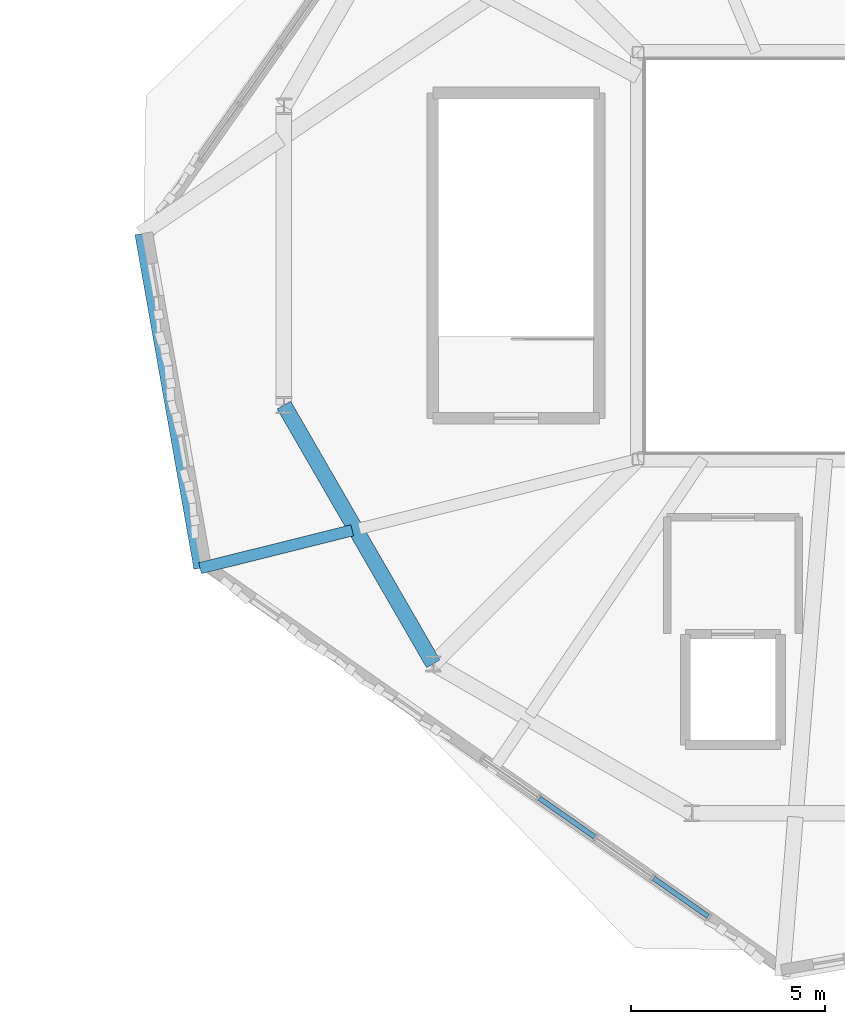
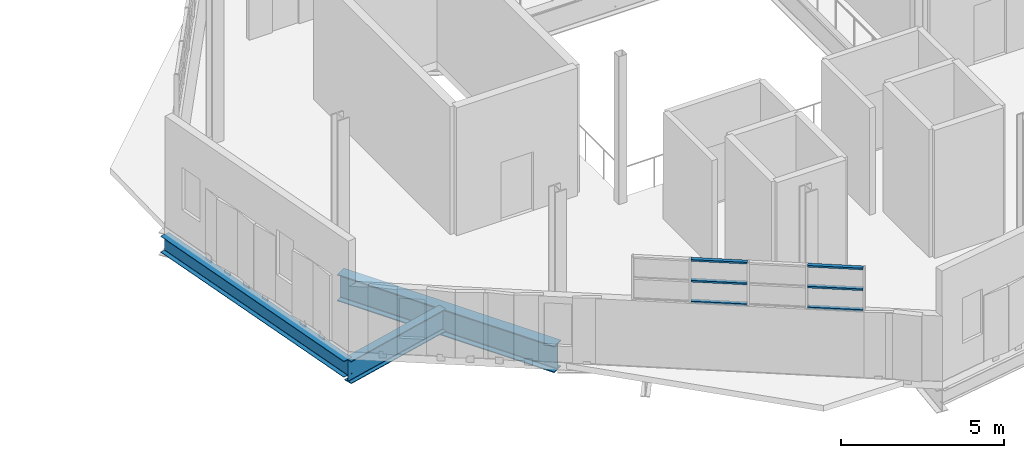
# One storey, part 4 of 36: 6 members, 3 beams, 1 element without a shape of its own.
"""IFC4 building model written with IfcOpenShell, lengths in metres."""

from ifc_helpers import new_model, si_unit, direction, frame, origin, origin_2d, place, context, subcontext, project, spatial, hollow_rectangle, i_section, extrude, material, layer, layer_set, material_profile, profile_set, type_object, element, aggregate, save


model = new_model("IFC4")

# Units and contexts
model_context = context("Model", 3, precision=1e-05, world=origin(), true_north=direction((0.0, 1.0)))
body_context = subcontext(model_context, "Body", "Model", "MODEL_VIEW")
ifc_project = project(units=[si_unit("LENGTHUNIT", "METRE"), si_unit("AREAUNIT", "SQUARE_METRE"), si_unit("VOLUMEUNIT", "CUBIC_METRE"), si_unit("PLANEANGLEUNIT", "RADIAN"), si_unit("MASSUNIT", "GRAM", prefix="KILO"), si_unit("THERMODYNAMICTEMPERATUREUNIT", "KELVIN"), si_unit("POWERUNIT", "WATT")], contexts=[model_context])

# Site, building, storey
site_placement = place(None, origin())
site = spatial("IfcSite", under=ifc_project, at=site_placement, CompositionType="ELEMENT")
building_placement = place(site_placement, origin())
building = spatial("IfcBuilding", under=site, at=building_placement, Name="Zelmaris Science Centre", CompositionType="ELEMENT")
storey_placement = place(building_placement, frame((0.0, 0.0, 25.199951171875)))
storey = spatial("IfcBuildingStorey", under=building, at=storey_placement, Name="L05", CompositionType="ELEMENT", Elevation=25.199951171875)

# Curtain wall, members
ifc_material_1 = material(Name="Anodised architectural aluminium 6063-T6", Category="aluminium")
ifc_layer = layer(ifc_material_1, 0.2099609375, Name="Anodised architectural aluminium 6063-T6")
ifc_layer_set = layer_set([ifc_layer], Name="Anodised architectural aluminium 6063-T6")
curtain_wall_type = type_object("IfcCurtainWallType", Name="Curtain Wall CW-03", PredefinedType="USERDEFINED", material=ifc_layer_set)
curtain_wall_placement = place(storey_placement, origin())
curtain_wall = element("IfcCurtainWall", 1, at=curtain_wall_placement, inside=storey, type_object=curtain_wall_type, Name="L05 Clerestory curtain wall 371", ObjectType="GLAZED CURTAIN WALL", PredefinedType="USERDEFINED")
ifc_material_profile_1 = material_profile(ifc_material_1, hollow_rectangle(XDim=0.06494140625, YDim=0.1298828125, WallThickness=0.00341796875, at=origin_2d()), Name="ALU-TRN-65X130")
ifc_profile_set_1 = profile_set([ifc_material_profile_1], Name="Anodised architectural aluminium 6063-T6")
member_type = type_object("IfcMemberType", Name="ALU-TRN-65X130", PredefinedType="USERDEFINED", material=ifc_profile_set_1)
member_1_placement = place(storey_placement, frame((77.553466796875, 18.947509765625, 2.448486328125), z_axis=(-0.819171710686, 0.5735483488, 0.0), x_axis=(0.0, 0.0, 1.0)))
member_1 = element("IfcMember", 2, at=member_1_placement, type_object=member_type, Name="CW-03 transom 1.1", ObjectType="TRANSOM", PredefinedType="USERDEFINED", context=body_context, shape_type="SweptSolid", body=[
    extrude(hollow_rectangle(XDim=0.06494140625, YDim=0.1298828125, WallThickness=0.00341796875, at=origin_2d()), origin(), (0.0, 0.0, 1.0), 1.714599609375),
])
member_2_placement = place(storey_placement, frame((77.553466796875, 18.947509765625, 3.22998046875), z_axis=(-0.819171710686, 0.5735483488, 0.0), x_axis=(0.0, 0.0, 1.0)))
member_2 = element("IfcMember", 3, at=member_2_placement, type_object=member_type, Name="CW-03 transom 1.2", ObjectType="TRANSOM", PredefinedType="USERDEFINED", context=body_context, shape_type="SweptSolid", body=[
    extrude(hollow_rectangle(XDim=0.06494140625, YDim=0.1298828125, WallThickness=0.00341796875, at=origin_2d()), origin(), (0.0, 0.0, 1.0), 1.714599609375),
])
member_3_placement = place(storey_placement, frame((77.553466796875, 18.947509765625, 4.011474609375), z_axis=(-0.819171710686, 0.5735483488, 0.0), x_axis=(0.0, 0.0, 1.0)))
member_3 = element("IfcMember", 4, at=member_3_placement, type_object=member_type, Name="CW-03 transom 1.3", ObjectType="TRANSOM", PredefinedType="USERDEFINED", context=body_context, shape_type="SweptSolid", body=[
    extrude(hollow_rectangle(XDim=0.06494140625, YDim=0.1298828125, WallThickness=0.00341796875, at=origin_2d()), origin(), (0.0, 0.0, 1.0), 1.714599609375),
])
member_4_placement = place(storey_placement, frame((74.6279296875, 20.99609375, 2.448486328125), z_axis=(-0.819185859287, 0.573528140499, 0.0), x_axis=(0.0, 0.0, 1.0)))
member_4 = element("IfcMember", 5, at=member_4_placement, type_object=member_type, Name="CW-03 transom 3.1", ObjectType="TRANSOM", PredefinedType="USERDEFINED", context=body_context, shape_type="SweptSolid", body=[
    extrude(hollow_rectangle(XDim=0.06494140625, YDim=0.1298828125, WallThickness=0.00341796875, at=origin_2d()), origin(), (0.0, 0.0, 1.0), 1.7431640625),
])
member_5_placement = place(storey_placement, frame((74.6279296875, 20.99609375, 3.22998046875), z_axis=(-0.819185859287, 0.573528140499, 0.0), x_axis=(0.0, 0.0, 1.0)))
member_5 = element("IfcMember", 6, at=member_5_placement, type_object=member_type, Name="CW-03 transom 3.2", ObjectType="TRANSOM", PredefinedType="USERDEFINED", context=body_context, shape_type="SweptSolid", body=[
    extrude(hollow_rectangle(XDim=0.06494140625, YDim=0.1298828125, WallThickness=0.00341796875, at=origin_2d()), origin(), (0.0, 0.0, 1.0), 1.7431640625),
])
member_6_placement = place(storey_placement, frame((74.6279296875, 20.99609375, 4.011474609375), z_axis=(-0.819185859287, 0.573528140499, 0.0), x_axis=(0.0, 0.0, 1.0)))
member_6 = element("IfcMember", 7, at=member_6_placement, type_object=member_type, Name="CW-03 transom 3.3", ObjectType="TRANSOM", PredefinedType="USERDEFINED", context=body_context, shape_type="SweptSolid", body=[
    extrude(hollow_rectangle(XDim=0.06494140625, YDim=0.1298828125, WallThickness=0.00341796875, at=origin_2d()), origin(), (0.0, 0.0, 1.0), 1.7431640625),
])
aggregate(curtain_wall, [member_1, member_2, member_3, member_4, member_5, member_6])

# Beams
ifc_material_2 = material(Name="Steel ASTM A992 Grade 50", Category="steel")
ifc_material_profile_2 = material_profile(ifc_material_2, i_section(OverallWidth=0.294921875, OverallDepth=0.85107421875, WebThickness=0.01611328125, FlangeThickness=0.02685546875, FilletRadius=0.02001953125, at=origin_2d()), Name="W33X152")
ifc_profile_set_2 = profile_set([ifc_material_profile_2], Name="Steel ASTM A992 Grade 50")
beam_type_1 = type_object("IfcBeamType", Name="Beam G-06 W33X152", PredefinedType="BEAM", material=ifc_profile_set_2)
beam_1_placement = place(storey_placement, frame((68.369384765625, 28.909912109375, -0.70556640625), z_axis=(-0.970379827684, -0.24158433315, 0.0), x_axis=(0.24158433315, -0.970379827684, 0.0)))
element("IfcBeam", 8, at=beam_1_placement, inside=storey, type_object=beam_type_1, Name="L05 Radial overhang girder 10", PredefinedType="BEAM", context=body_context, shape_type="SweptSolid", body=[
    extrude(i_section(OverallWidth=0.294921875, OverallDepth=0.85107421875, WebThickness=0.01611328125, FlangeThickness=0.02685546875, FilletRadius=0.02001953125, at=origin_2d()), origin(), (0.0, 0.0, 1.0), 4.04638671875),
])
ifc_material_profile_3 = material_profile(ifc_material_2, i_section(OverallWidth=0.40087890625, OverallDepth=1.0009765625, WebThickness=0.01904296875, FlangeThickness=0.0361328125, FilletRadius=0.02490234375, at=origin_2d()), Name="W40X249")
ifc_profile_set_3 = profile_set([ifc_material_profile_3], Name="Steel ASTM A992 Grade 50")
beam_type_2 = type_object("IfcBeamType", Name="Beam G-22 W40X249", PredefinedType="BEAM", material=ifc_profile_set_3)
beam_2_placement = place(storey_placement, frame((66.607666015625, 32.1435546875, -0.780517578125), z_axis=(0.500006504531, -0.866021648359, 0.0), x_axis=(0.866021648359, 0.500006504531, 0.0)))
element("IfcBeam", 9, at=beam_2_placement, inside=storey, type_object=beam_type_2, Name="L05 Exhibition inner ring girder 7", PredefinedType="BEAM", context=body_context, shape_type="SweptSolid", body=[
    extrude(i_section(OverallWidth=0.40087890625, OverallDepth=1.0009765625, WebThickness=0.01904296875, FlangeThickness=0.0361328125, FilletRadius=0.02490234375, at=origin_2d()), origin(), (0.0, 0.0, 1.0), 7.712890625),
])
ifc_material_profile_4 = material_profile(ifc_material_2, i_section(OverallWidth=0.324951171875, OverallDepth=0.612060546875, WebThickness=0.0126953125, FlangeThickness=0.01904296875, FilletRadius=0.014892578125, at=origin_2d()), Name="W24X104")
ifc_profile_set_4 = profile_set([ifc_material_profile_4], Name="Steel ASTM A992 Grade 50")
beam_type_3 = type_object("IfcBeamType", Name="Beam SP-01 W24X104", PredefinedType="SPANDREL", material=ifc_profile_set_4)
beam_3_placement = place(storey_placement, frame((62.920166015625, 36.567138671875, -0.5859375), z_axis=(0.173666199254, -0.98480457515, 0.0), x_axis=(0.98480457515, 0.173666199254, 0.0)))
element("IfcBeam", 10, at=beam_3_placement, inside=storey, type_object=beam_type_3, Name="L05 Rotated facade spandrel beam 3", PredefinedType="SPANDREL", context=body_context, shape_type="SweptSolid", body=[
    extrude(i_section(OverallWidth=0.324951171875, OverallDepth=0.612060546875, WebThickness=0.0126953125, FlangeThickness=0.01904296875, FilletRadius=0.014892578125, at=origin_2d()), origin(), (0.0, 0.0, 1.0), 8.76806640625),
])

save(model, "model.ifc")
